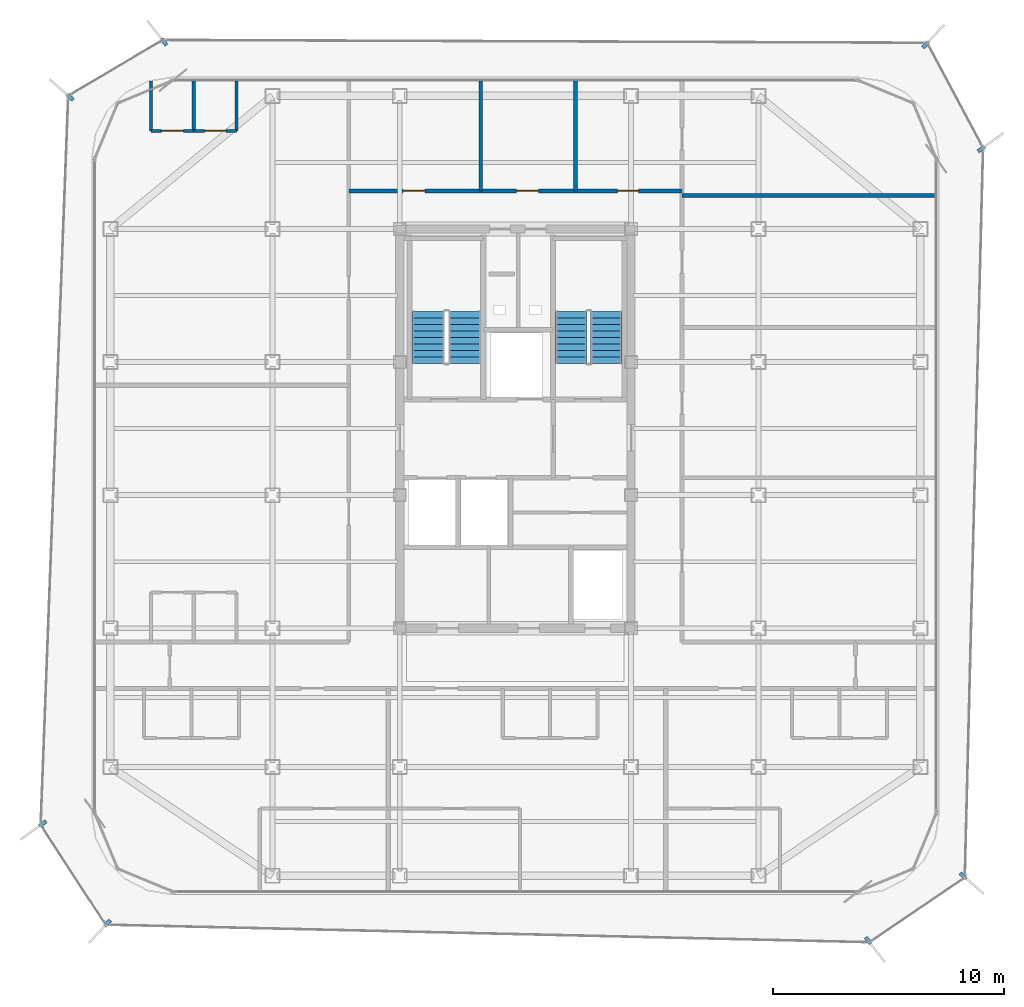
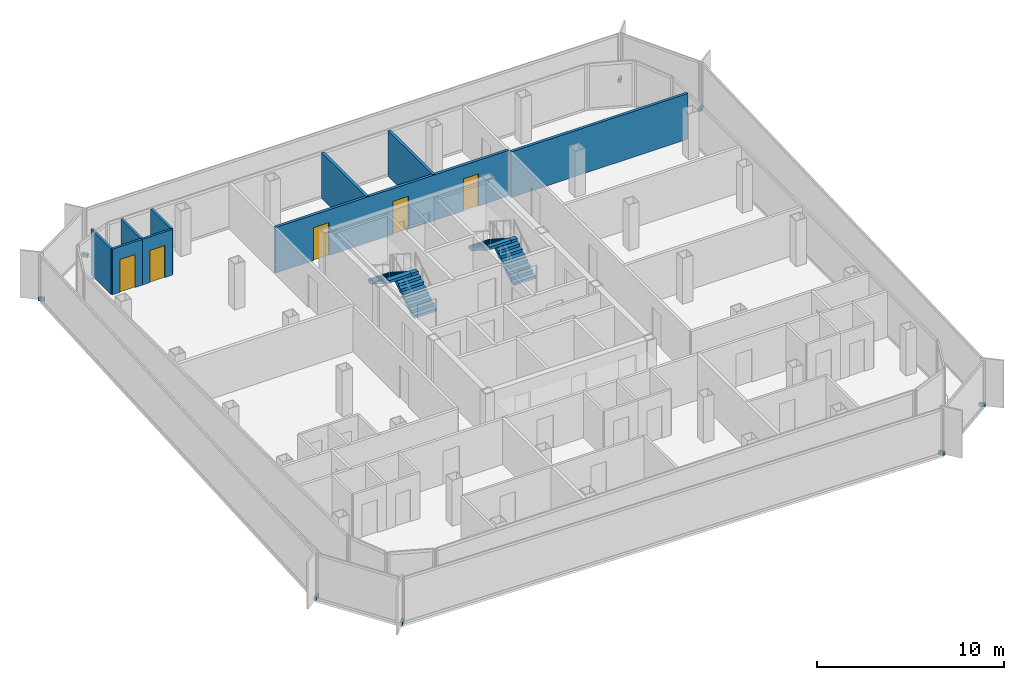
# One storey, part 12 of 15: 9 walls, 8 discrete accessories, 5 doors, 4 stair flights, 5 openings, 2 elements without a shape of their own.
"""IFC4 building model written with IfcOpenShell, lengths in metres."""

from ifc_helpers import new_model, si_unit, direction, frame, frame_2d, origin, origin_2d, place, context, subcontext, project, spatial, polyline, rectangle, outline, extrude, source, transform, mapped, material, layer, layer_set, type_object, element, fill, aggregate, save


model = new_model("IFC4")

# Units and contexts
model_context = context("Model", 3, precision=1e-05, world=origin(), true_north=direction((0.0, 1.0)))
body_context = subcontext(model_context, "Body", "Model", "MODEL_VIEW")
ifc_project = project(units=[si_unit("LENGTHUNIT", "METRE"), si_unit("AREAUNIT", "SQUARE_METRE"), si_unit("VOLUMEUNIT", "CUBIC_METRE"), si_unit("PLANEANGLEUNIT", "RADIAN"), si_unit("MASSUNIT", "GRAM", prefix="KILO")], contexts=[model_context])

# Site, building, storey
site_placement = place(None, origin())
site = spatial("IfcSite", under=ifc_project, at=site_placement, CompositionType="ELEMENT")
building_placement = place(site_placement, origin())
building = spatial("IfcBuilding", under=site, at=building_placement, Name="Kolveth Station Tower", CompositionType="ELEMENT")
storey_placement = place(building_placement, frame((0.0, 0.0, 220.10009765625)))
storey = spatial("IfcBuildingStorey", under=building, at=storey_placement, Name="L62", CompositionType="ELEMENT", Elevation=220.10009765625)

# Wall, opening, door
ifc_material_1 = material(Name="Moisture-resistant gypsum partition")
ifc_layer_1 = layer(ifc_material_1, 0.135009765625)
ifc_layer_set_1 = layer_set([ifc_layer_1], Name="Moisture-resistant gypsum partition")
wall_type_1 = type_object("IfcWallType", Name="Wall_IW-135", PredefinedType="PARTITIONING", material=ifc_layer_set_1)
wall_1_placement = place(storey_placement, frame((7.75, 32.989990234375, 0.0), z_axis=(0.0, 0.0, 1.0), x_axis=(1.0, 0.0, 0.0)))
wall_1 = element("IfcWall", 1, at=wall_1_placement, inside=storey, type_object=wall_type_1, Name="L62 Partition Wall WL-L62-W2-IBHK", PredefinedType="PARTITIONING", context=body_context, shape_type="SweptSolid", body=[
    extrude(rectangle(XDim=1.85009765625, YDim=0.135009765625, at=frame_2d((0.925048828125, 0.0))), origin(), (0.0, 0.0, 1.0), 2.97998046875),
])
opening_1_placement = place(wall_1_placement, frame((0.445068359375, 0.0, 0.0)))
opening_1 = element("IfcOpeningElement", 2, at=opening_1_placement, cuts=wall_1, Name="Opening ID1", PredefinedType="OPENING", context=body_context, shape_type="SweptSolid", body=[
    extrude(rectangle(XDim=0.949951171875, YDim=2.14990234375, at=frame_2d((0.47509765625, 1.074951171875))), frame((0.0, 0.077392578125, 0.0), z_axis=(0.0, -1.0, 0.0), x_axis=(1.0, 0.0, 0.0)), (0.0, 0.0, 1.0), 0.155029296875),
])
ifc_material_2 = material(Name="Acoustic hardwood leaf and aluminium frame", Category="wood")
door_type_1 = type_object("IfcDoorType", Name="Door_ID1", OperationType="NOTDEFINED", PredefinedType="DOOR", material=ifc_material_2)
door_1_placement = place(opening_1_placement, frame((0.949951171875, 0.0, 0.0), z_axis=(0.0, 0.0, 1.0), x_axis=(-1.0, 0.0, 0.0)))
door_1 = element("IfcDoor", 3, at=door_1_placement, inside=storey, type_object=door_type_1, Name="Penthouse Flat L62-W2 Kitchen Door", OperationType="SINGLE_SWING_LEFT", OverallHeight=2.14990234375, OverallWidth=0.949951171875, PredefinedType="DOOR", context=body_context, shape_type="SweptSolid", body=[
    extrude(rectangle(XDim=0.949951171875, YDim=2.14990234375, at=frame_2d((0.47509765625, 1.074951171875))), frame((0.0, 0.02490234375, 0.0), z_axis=(0.0, -1.0, 0.0), x_axis=(1.0, 0.0, 0.0)), (0.0, 0.0, 1.0), 0.050048828125),
])
fill(opening_1, door_1)

wall_2_placement = place(storey_placement, frame((9.60009765625, 32.989990234375, 0.0), z_axis=(0.0, 0.0, 1.0), x_axis=(1.0, 0.0, 0.0)))
wall_2 = element("IfcWall", 4, at=wall_2_placement, inside=storey, type_object=wall_type_1, Name="L62 Partition Wall WL-L62-W2-IBHB", PredefinedType="PARTITIONING", context=body_context, shape_type="SweptSolid", body=[
    extrude(rectangle(XDim=1.849853515625, YDim=0.135009765625, at=frame_2d((0.9248046875, 0.0))), origin(), (0.0, 0.0, 1.0), 2.97998046875),
])
opening_2_placement = place(wall_2_placement, frame((0.465087890625, 0.0, 0.0)))
opening_2 = element("IfcOpeningElement", 5, at=opening_2_placement, cuts=wall_2, Name="Opening ID2", PredefinedType="OPENING", context=body_context, shape_type="SweptSolid", body=[
    extrude(rectangle(XDim=0.919921875, YDim=2.10009765625, at=frame_2d((0.4599609375, 1.050048828125))), frame((0.0, 0.077392578125, 0.0), z_axis=(0.0, -1.0, 0.0), x_axis=(1.0, 0.0, 0.0)), (0.0, 0.0, 1.0), 0.155029296875),
])
ifc_material_3 = material(Name="Moisture-resistant hardwood leaf", Category="wood")
door_type_2 = type_object("IfcDoorType", Name="Door_ID2", OperationType="NOTDEFINED", PredefinedType="DOOR", material=ifc_material_3)
door_2_placement = place(opening_2_placement, frame((0.919921875, 0.0, 0.0), z_axis=(0.0, 0.0, 1.0), x_axis=(-1.0, 0.0, 0.0)))
door_2 = element("IfcDoor", 6, at=door_2_placement, inside=storey, type_object=door_type_2, Name="Penthouse Flat L62-W2 Bathroom Door", OperationType="SINGLE_SWING_RIGHT", OverallHeight=2.10009765625, OverallWidth=0.919921875, PredefinedType="DOOR", context=body_context, shape_type="SweptSolid", body=[
    extrude(rectangle(XDim=0.919921875, YDim=2.10009765625, at=frame_2d((0.4599609375, 1.050048828125))), frame((0.0, 0.02490234375, 0.0), z_axis=(0.0, -1.0, 0.0), x_axis=(1.0, 0.0, 0.0)), (0.0, 0.0, 1.0), 0.050048828125),
])
fill(opening_2, door_2)

# Walls
for number, where, z_axis, x_axis, name in (
    (7, (7.75, 32.989990234375, 0.0), (0.0, 0.0, 1.0), (0.0, 1.0, 0.0), "L62 Partition Wall WL-L62-W2-IBV0"),
    (8, (9.60009765625, 32.989990234375, 0.0), (0.0, 0.0, 1.0), (0.0, 1.0, 0.0), "L62 Partition Wall WL-L62-W2-IBV1"),
    (9, (11.449951171875, 32.989990234375, 0.0), (0.0, 0.0, 1.0), (0.0, 1.0, 0.0), "L62 Partition Wall WL-L62-W2-IBV2"),
):
    element("IfcWall", number, at=place(storey_placement, frame(where, z_axis=z_axis, x_axis=x_axis)), inside=storey, type_object=wall_type_1, Name=name, PredefinedType="PARTITIONING", context=body_context, shape_type="SweptSolid", body=[
        extrude(rectangle(XDim=2.14990234375, YDim=0.135009765625, at=frame_2d((1.074951171875, 0.0))), origin(), (0.0, 0.0, 1.0), 2.97998046875),
    ])

# Wall, openings, doors
ifc_material_4 = material(Name="Acoustic double-stud gypsum partition")
ifc_layer_2 = layer(ifc_material_4, 0.1650390625)
ifc_layer_set_2 = layer_set([ifc_layer_2], Name="Acoustic double-stud gypsum partition")
wall_type_2 = type_object("IfcWallType", Name="Wall_IW-165", PredefinedType="PARTITIONING", material=ifc_layer_set_2)
wall_3_placement = place(storey_placement, frame((16.300048828125, 30.39990234375, 0.0), z_axis=(0.0, 0.0, 1.0), x_axis=(1.0, 0.0, 0.0)))
wall_3 = element("IfcWall", 10, at=wall_3_placement, inside=storey, type_object=wall_type_2, Name="L62 Partition Wall WL-L62-RN", PredefinedType="PARTITIONING", context=body_context, shape_type="SweptSolid", body=[
    extrude(rectangle(XDim=14.39990234375, YDim=0.1650390625, at=frame_2d((7.199951171875, 0.0))), origin(), (0.0, 0.0, 1.0), 2.97998046875),
])
opening_3_placement = place(wall_3_placement, frame((2.35009765625, 0.0, 0.0)))
opening_3 = element("IfcOpeningElement", 11, at=opening_3_placement, cuts=wall_3, Name="Opening ID1", PredefinedType="OPENING", context=body_context, shape_type="SweptSolid", body=[
    extrude(rectangle(XDim=0.949951171875, YDim=2.14990234375, at=frame_2d((0.47509765625, 1.074951171875))), frame((0.0, 0.092529296875, 0.0), z_axis=(0.0, -1.0, 0.0), x_axis=(1.0, 0.0, 0.0)), (0.0, 0.0, 1.0), 0.18505859375),
])
opening_4_placement = place(wall_3_placement, frame((7.25, 0.0, 0.0)))
opening_4 = element("IfcOpeningElement", 12, at=opening_4_placement, cuts=wall_3, Name="Opening ID1", PredefinedType="OPENING", context=body_context, shape_type="SweptSolid", body=[
    extrude(rectangle(XDim=0.949951171875, YDim=2.14990234375, at=frame_2d((0.47509765625, 1.074951171875))), frame((0.0, 0.092529296875, 0.0), z_axis=(0.0, -1.0, 0.0), x_axis=(1.0, 0.0, 0.0)), (0.0, 0.0, 1.0), 0.18505859375),
])
opening_5_placement = place(wall_3_placement, frame((11.60009765625, 0.0, 0.0)))
opening_5 = element("IfcOpeningElement", 13, at=opening_5_placement, cuts=wall_3, Name="Opening ID2", PredefinedType="OPENING", context=body_context, shape_type="SweptSolid", body=[
    extrude(rectangle(XDim=0.919921875, YDim=2.10009765625, at=frame_2d((0.4599609375, 1.050048828125))), frame((0.0, 0.092529296875, 0.0), z_axis=(0.0, -1.0, 0.0), x_axis=(1.0, 0.0, 0.0)), (0.0, 0.0, 1.0), 0.18505859375),
])
door_3_placement = place(opening_3_placement, origin())
door_3 = element("IfcDoor", 14, at=door_3_placement, inside=storey, type_object=door_type_1, Name="L62 Residents' Study Lounge Door", OperationType="SINGLE_SWING_RIGHT", OverallHeight=2.14990234375, OverallWidth=0.949951171875, PredefinedType="DOOR", context=body_context, shape_type="SweptSolid", body=[
    extrude(rectangle(XDim=0.949951171875, YDim=2.14990234375, at=frame_2d((0.47509765625, 1.074951171875))), frame((0.0, 0.02490234375, 0.0), z_axis=(0.0, -1.0, 0.0), x_axis=(1.0, 0.0, 0.0)), (0.0, 0.0, 1.0), 0.050048828125),
])
fill(opening_3, door_3)
door_4_placement = place(opening_4_placement, origin())
door_4 = element("IfcDoor", 15, at=door_4_placement, inside=storey, type_object=door_type_1, Name="L62 Residents' Linen Store Door", OperationType="SINGLE_SWING_LEFT", OverallHeight=2.14990234375, OverallWidth=0.949951171875, PredefinedType="DOOR", context=body_context, shape_type="SweptSolid", body=[
    extrude(rectangle(XDim=0.949951171875, YDim=2.14990234375, at=frame_2d((0.47509765625, 1.074951171875))), frame((0.0, 0.02490234375, 0.0), z_axis=(0.0, -1.0, 0.0), x_axis=(1.0, 0.0, 0.0)), (0.0, 0.0, 1.0), 0.050048828125),
])
fill(opening_4, door_4)
door_5_placement = place(opening_5_placement, origin())
door_5 = element("IfcDoor", 16, at=door_5_placement, inside=storey, type_object=door_type_2, Name="L62 Accessible Residents' WC Door", OperationType="SINGLE_SWING_RIGHT", OverallHeight=2.10009765625, OverallWidth=0.919921875, PredefinedType="DOOR", context=body_context, shape_type="SweptSolid", body=[
    extrude(rectangle(XDim=0.919921875, YDim=2.10009765625, at=frame_2d((0.4599609375, 1.050048828125))), frame((0.0, 0.02490234375, 0.0), z_axis=(0.0, -1.0, 0.0), x_axis=(1.0, 0.0, 0.0)), (0.0, 0.0, 1.0), 0.050048828125),
])
fill(opening_5, door_5)

# Walls
wall_4_placement = place(storey_placement, frame((30.699951171875, 30.199951171875, 0.0), z_axis=(0.0, 0.0, 1.0), x_axis=(1.0, 0.0, 0.0)))
element("IfcWall", 17, at=wall_4_placement, inside=storey, type_object=wall_type_2, Name="L62 Partition Wall WL-L62-REA-P3", PredefinedType="PARTITIONING", context=body_context, shape_type="SweptSolid", body=[
    extrude(rectangle(XDim=10.93994140625, YDim=0.1650390625, at=frame_2d((5.469970703125, 0.0))), origin(), (0.0, 0.0, 1.0), 2.97998046875),
])
for number, where, z_axis, x_axis, name in (
    (18, (22.0, 30.39990234375, 0.0), (0.0, 0.0, 1.0), (0.0, 1.0, 0.0), "L62 Partition Wall WL-L62-RN-P1"),
    (19, (26.10009765625, 30.39990234375, 0.0), (0.0, 0.0, 1.0), (0.0, 1.0, 0.0), "L62 Partition Wall WL-L62-RN-P2"),
):
    element("IfcWall", number, at=place(storey_placement, frame(where, z_axis=z_axis, x_axis=x_axis)), inside=storey, type_object=wall_type_2, Name=name, PredefinedType="PARTITIONING", context=body_context, shape_type="SweptSolid", body=[
        extrude(rectangle(XDim=4.739990234375, YDim=0.1650390625, at=frame_2d((2.3701171875, 0.0))), origin(), (0.0, 0.0, 1.0), 2.97998046875),
    ])

# Stair, stair flights
ifc_material_5 = material(Name="Concrete C40/50", Category="concrete")
stair_type_1 = type_object("IfcStairType", Name="Stair_ST1", PredefinedType="HALF_TURN_STAIR", material=ifc_material_5)
stair_1_placement = place(storey_placement, origin())
stair_1 = element("IfcStair", 20, at=stair_1_placement, inside=storey, type_object=stair_type_1, Name="L62 Tower Exit Stair ST1", PredefinedType="HALF_TURN_STAIR")
ifc_layer_3 = layer(ifc_material_5, 0.179931640625)
ifc_layer_set_3 = layer_set([ifc_layer_3], Name="Concrete C40/50")
stair_flight_type_1 = type_object("IfcStairFlightType", Name="Flight_ST1", PredefinedType="STRAIGHT", material=ifc_layer_set_3)
stair_flight_1_placement = place(storey_placement, frame((21.300048828125, 22.949951171875, 0.0), z_axis=(0.0, 0.0, 1.0), x_axis=(0.0, 1.0, 0.0)))
stair_flight_1 = element("IfcStairFlight", 21, at=stair_flight_1_placement, type_object=stair_flight_type_1, Name="ST1 flight 1", NumberOfRisers=9, NumberOfTreads=8, PredefinedType="STRAIGHT", RiserHeight=0.177777778, TreadLength=0.28, context=body_context, shape_type="SweptSolid", body=[
    extrude(outline(polyline([(0.0, 0.0), (0.0, 0.177734375), (0.280029296875, 0.177734375), (0.280029296875, 0.35546875), (0.56005859375, 0.35546875), (0.56005859375, 0.533447265625), (0.840087890625, 0.533447265625), (0.840087890625, 0.711181640625), (1.1201171875, 0.711181640625), (1.1201171875, 0.888916015625), (1.39990234375, 0.888916015625), (1.39990234375, 1.066650390625), (1.679931640625, 1.066650390625), (1.679931640625, 1.244384765625), (1.9599609375, 1.244384765625), (1.9599609375, 1.422119140625), (2.239990234375, 1.422119140625), (2.239990234375, 1.60009765625), (2.239990234375, 1.24462890625), (0.27978515625, 0.0), (0.0, 0.0)])), frame((0.0, 0.699951171875, 0.0), z_axis=(0.0, -1.0, 0.0), x_axis=(1.0, 0.0, 0.0)), (0.0, 0.0, 1.0), 1.39990234375),
])
stair_flight_2_placement = place(storey_placement, frame((19.739990234375, 25.18994140625, 1.599853515625), z_axis=(0.0, 0.0, 1.0), x_axis=(0.0, -1.0, 0.0)))
stair_flight_2 = element("IfcStairFlight", 22, at=stair_flight_2_placement, type_object=stair_flight_type_1, Name="ST1 flight 2", NumberOfRisers=9, NumberOfTreads=8, PredefinedType="STRAIGHT", RiserHeight=0.177777778, TreadLength=0.28, context=body_context, shape_type="SweptSolid", body=[
    extrude(outline(polyline([(0.0, 0.0), (0.0, 0.177734375), (0.280029296875, 0.177734375), (0.280029296875, 0.35546875), (0.56005859375, 0.35546875), (0.56005859375, 0.533447265625), (0.840087890625, 0.533447265625), (0.840087890625, 0.711181640625), (1.1201171875, 0.711181640625), (1.1201171875, 0.888916015625), (1.39990234375, 0.888916015625), (1.39990234375, 1.066650390625), (1.679931640625, 1.066650390625), (1.679931640625, 1.244384765625), (1.9599609375, 1.244384765625), (1.9599609375, 1.422119140625), (2.239990234375, 1.422119140625), (2.239990234375, 1.60009765625), (2.239990234375, 1.24462890625), (0.27978515625, 0.0), (0.0, 0.0)])), frame((0.0, 0.699951171875, 0.0), z_axis=(0.0, -1.0, 0.0), x_axis=(1.0, 0.0, 0.0)), (0.0, 0.0, 1.0), 1.39990234375),
])
aggregate(stair_1, [stair_flight_1, stair_flight_2])

stair_type_2 = type_object("IfcStairType", Name="Stair_ST2", PredefinedType="HALF_TURN_STAIR", material=ifc_material_5)
stair_2_placement = place(storey_placement, origin())
stair_2 = element("IfcStair", 23, at=stair_2_placement, inside=storey, type_object=stair_type_2, Name="L62 Tower Exit Stair ST2", PredefinedType="HALF_TURN_STAIR")
ifc_layer_4 = layer(ifc_material_5, 0.179931640625)
ifc_layer_set_4 = layer_set([ifc_layer_4], Name="Concrete C40/50")
stair_flight_type_2 = type_object("IfcStairFlightType", Name="Flight_ST2", PredefinedType="STRAIGHT", material=ifc_layer_set_4)
stair_flight_3_placement = place(storey_placement, frame((27.425048828125, 22.949951171875, 0.0), z_axis=(0.0, 0.0, 1.0), x_axis=(0.0, 1.0, 0.0)))
stair_flight_3 = element("IfcStairFlight", 24, at=stair_flight_3_placement, type_object=stair_flight_type_2, Name="ST2 flight 1", NumberOfRisers=9, NumberOfTreads=8, PredefinedType="STRAIGHT", RiserHeight=0.177777778, TreadLength=0.28, context=body_context, shape_type="SweptSolid", body=[
    extrude(outline(polyline([(0.0, 0.0), (0.0, 0.177734375), (0.280029296875, 0.177734375), (0.280029296875, 0.35546875), (0.56005859375, 0.35546875), (0.56005859375, 0.533447265625), (0.840087890625, 0.533447265625), (0.840087890625, 0.711181640625), (1.1201171875, 0.711181640625), (1.1201171875, 0.888916015625), (1.39990234375, 0.888916015625), (1.39990234375, 1.066650390625), (1.679931640625, 1.066650390625), (1.679931640625, 1.244384765625), (1.9599609375, 1.244384765625), (1.9599609375, 1.422119140625), (2.239990234375, 1.422119140625), (2.239990234375, 1.60009765625), (2.239990234375, 1.24462890625), (0.27978515625, 0.0), (0.0, 0.0)])), frame((0.0, 0.675048828125, 0.0), z_axis=(0.0, -1.0, 0.0), x_axis=(1.0, 0.0, 0.0)), (0.0, 0.0, 1.0), 1.35009765625),
])
stair_flight_4_placement = place(storey_placement, frame((25.9150390625, 25.18994140625, 1.599853515625), z_axis=(0.0, 0.0, 1.0), x_axis=(0.0, -1.0, 0.0)))
stair_flight_4 = element("IfcStairFlight", 25, at=stair_flight_4_placement, type_object=stair_flight_type_2, Name="ST2 flight 2", NumberOfRisers=9, NumberOfTreads=8, PredefinedType="STRAIGHT", RiserHeight=0.177777778, TreadLength=0.28, context=body_context, shape_type="SweptSolid", body=[
    extrude(outline(polyline([(0.0, 0.0), (0.0, 0.177734375), (0.280029296875, 0.177734375), (0.280029296875, 0.35546875), (0.56005859375, 0.35546875), (0.56005859375, 0.533447265625), (0.840087890625, 0.533447265625), (0.840087890625, 0.711181640625), (1.1201171875, 0.711181640625), (1.1201171875, 0.888916015625), (1.39990234375, 0.888916015625), (1.39990234375, 1.066650390625), (1.679931640625, 1.066650390625), (1.679931640625, 1.244384765625), (1.9599609375, 1.244384765625), (1.9599609375, 1.422119140625), (2.239990234375, 1.422119140625), (2.239990234375, 1.60009765625), (2.239990234375, 1.24462890625), (0.27978515625, 0.0), (0.0, 0.0)])), frame((0.0, 0.675048828125, 0.0), z_axis=(0.0, -1.0, 0.0), x_axis=(1.0, 0.0, 0.0)), (0.0, 0.0, 1.0), 1.35009765625),
])
aggregate(stair_2, [stair_flight_3, stair_flight_4])

# Discrete accessories
ifc_material_6 = material(Name="Steel S355", Category="steel")
discrete_accessory_type = type_object("IfcDiscreteAccessoryType", Name="Bracket_BK1", PredefinedType="BRACKET", material=ifc_material_6)
shared_shape = source(origin(), body_context, "Body", "SweptSolid", [
    extrude(rectangle(XDim=0.35009765625, YDim=0.159912109375, at=origin_2d()), origin(), (0.0, 0.0, 1.0), 0.219970703125),
])
for number, where, z_axis, x_axis, name in (
    (26, (38.740966796875, -1.9970703125, -0.06005859375), (0.0, 0.0, 1.0), (0.612907053653, -0.790155012376, 0.0), "L62 Double-Skin Radial Tie Bracket 1"),
    (27, (42.85009765625, 0.7958984375, -0.06005859375), (0.0, 0.0, 1.0), (0.754022143124, -0.656848999146, 0.0), "L62 Double-Skin Radial Tie Bracket 2"),
    (28, (43.633056640625, 32.208984375, -0.06005859375), (0.0, 0.0, 1.0), (0.810348553241, 0.585948139565, 0.0), "L62 Double-Skin Radial Tie Bracket 3"),
    (29, (41.22998046875, 36.718017578125, -0.06005859375), (0.0, 0.0, 1.0), (0.680976533192, 0.732305237754, 0.0), "L62 Double-Skin Radial Tie Bracket 4"),
    (30, (8.31689453125, 36.833984375, -0.06005859375), (0.0, 0.0, 1.0), (-0.620600507707, 0.784126909266, 0.0), "L62 Double-Skin Radial Tie Bracket 5"),
    (31, (4.256103515625, 34.443115234375, -0.06005859375), (0.0, 0.0, 1.0), (-0.7534486472, 0.657506757404, 0.0), "L62 Double-Skin Radial Tie Bracket 6"),
    (32, (3.072021484375, 3.053955078125, -0.06005859375), (0.0, 0.0, 1.0), (-0.813608449501, -0.58141318432, 0.0), "L62 Double-Skin Radial Tie Bracket 7"),
    (33, (5.868896484375, -1.2451171875, -0.06005859375), (0.0, 0.0, 1.0), (-0.682253609109, -0.73111559473, 0.0), "L62 Double-Skin Radial Tie Bracket 8"),
):
    element("IfcDiscreteAccessory", number, at=place(storey_placement, frame(where, z_axis=z_axis, x_axis=x_axis)), inside=storey, type_object=discrete_accessory_type, Name=name, PredefinedType="BRACKET", context=body_context, shape_type="MappedRepresentation", body=[
        mapped(shared_shape, transform((0.0, 0.0, 0.0), x_axis=(1.0, 0.0, 0.0), y_axis=(0.0, 1.0, 0.0), z_axis=(0.0, 0.0, 1.0), scale=1.0)),
    ])

save(model, "model.ifc")
